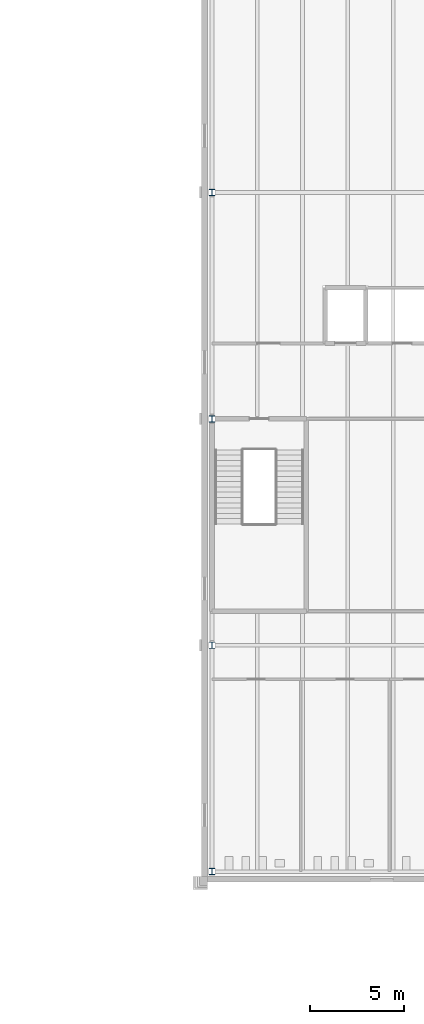
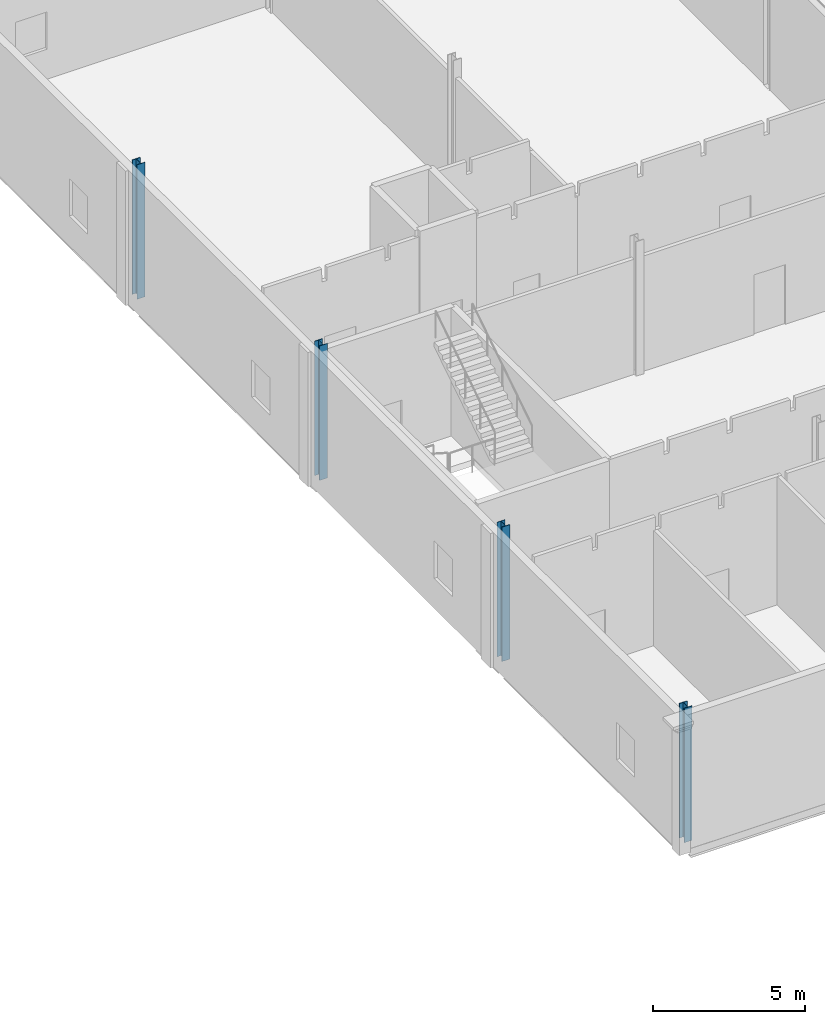
# One storey, part 1 of 321: 4 columns.
"""IFC4 building model written with IfcOpenShell, lengths in metres."""

from ifc_helpers import new_model, si_unit, direction, frame, origin, origin_2d, place, context, subcontext, project, spatial, i_section, extrude, material, material_profile, profile_set, type_object, element, save


model = new_model("IFC4")

# Units and contexts
model_context = context("Model", 3, precision=1e-05, world=origin(), true_north=direction((0.0, 1.0)))
body_context = subcontext(model_context, "Body", "Model", "MODEL_VIEW")
ifc_project = project(units=[si_unit("LENGTHUNIT", "METRE"), si_unit("AREAUNIT", "SQUARE_METRE"), si_unit("VOLUMEUNIT", "CUBIC_METRE"), si_unit("PLANEANGLEUNIT", "RADIAN"), si_unit("MASSUNIT", "GRAM", prefix="KILO")], contexts=[model_context])

# Site, building, storey
site_placement = place(None, origin())
site = spatial("IfcSite", under=ifc_project, at=site_placement, CompositionType="ELEMENT")
building_placement = place(site_placement, origin())
building = spatial("IfcBuilding", under=site, at=building_placement, Name="Ravi Spectrum Wholesale Market", CompositionType="ELEMENT")
storey_placement = place(building_placement, frame((0.0, 0.0, 10.800048828125)))
storey = spatial("IfcBuildingStorey", under=building, at=storey_placement, Name="L02", CompositionType="ELEMENT", Elevation=10.800048828125)

# Columns
ifc_material = material(Name="Steel S355", Category="steel")
ifc_material_profile = material_profile(ifc_material, i_section(OverallWidth=0.300048828125, OverallDepth=0.340087890625, WebThickness=0.011962890625, FlangeThickness=0.021484375, at=origin_2d()))
ifc_profile_set = profile_set([ifc_material_profile], Name="Steel S355")
column_type = type_object("IfcColumnType", Name="HEB 340 column", PredefinedType="COLUMN", material=ifc_profile_set)
for number, where, z_axis, x_axis, name in (
    (1, (198.0, 18.0, 0.0), (0.0, 0.0, 1.0), (1.0, 0.0, 0.0), "CS-COL-L02-001"),
    (2, (198.0, 30.0, 0.0), (0.0, 0.0, 1.0), (1.0, 0.0, 0.0), "CS-COL-L02-002"),
    (3, (198.0, 42.0, 0.0), (0.0, 0.0, 1.0), (1.0, 0.0, 0.0), "CS-COL-L02-003"),
    (4, (198.0, 54.0, 0.0), (0.0, 0.0, 1.0), (1.0, 0.0, 0.0), "CS-COL-L02-004"),
):
    element("IfcColumn", number, at=place(storey_placement, frame(where, z_axis=z_axis, x_axis=x_axis)), inside=storey, type_object=column_type, Name=name, PredefinedType="COLUMN", context=body_context, shape_type="SweptSolid", body=[
        extrude(i_section(OverallWidth=0.300048828125, OverallDepth=0.340087890625, WebThickness=0.011962890625, FlangeThickness=0.021484375, at=origin_2d()), origin(), (0.0, 0.0, 1.0), 5.39990234375),
    ])

save(model, "model.ifc")
